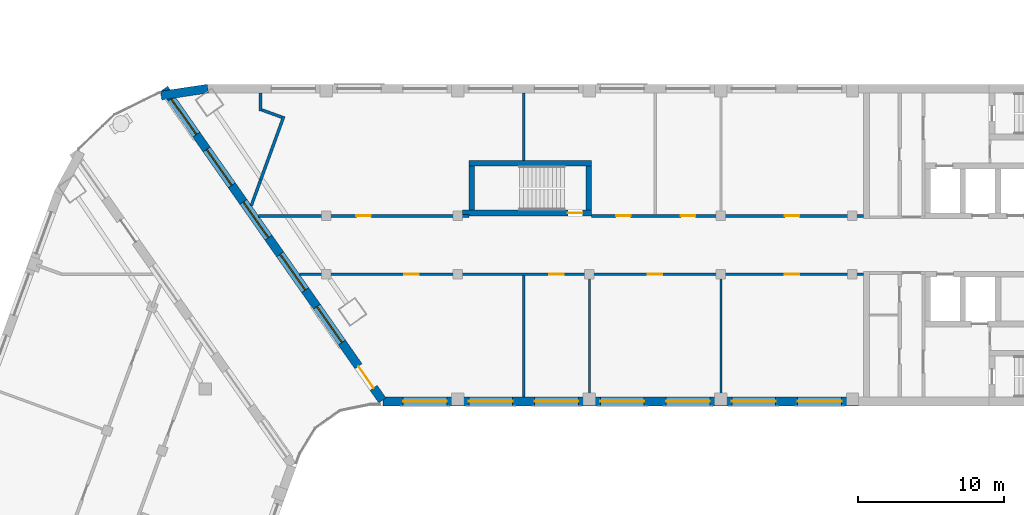
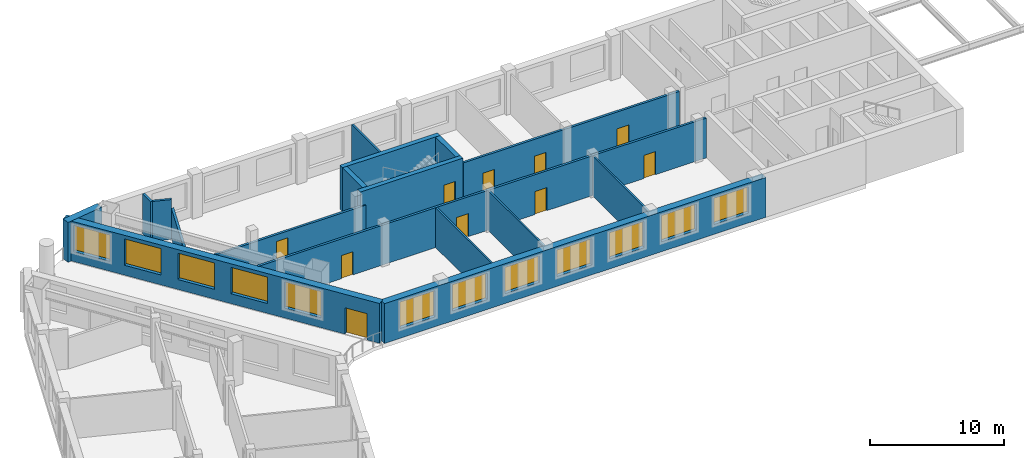
# One storey, part 5 of 14: 18 walls, 12 windows, 10 doors, 22 openings.
"""IFC4 building model written with IfcOpenShell, lengths in metres."""

from ifc_helpers import new_model, si_unit, direction, frame, frame_2d, origin, place, context, subcontext, project, spatial, rectangle, extrude, material, layer, layer_set, type_object, element, fill, save


model = new_model("IFC4")

# Units and contexts
model_context = context("Model", 3, precision=1e-05, world=origin(), true_north=direction((0.0, 1.0)))
body_context = subcontext(model_context, "Body", "Model", "MODEL_VIEW")
ifc_project = project(units=[si_unit("LENGTHUNIT", "METRE"), si_unit("AREAUNIT", "SQUARE_METRE"), si_unit("VOLUMEUNIT", "CUBIC_METRE"), si_unit("PLANEANGLEUNIT", "RADIAN"), si_unit("MASSUNIT", "GRAM", prefix="KILO")], contexts=[model_context])

# Site, building, storey
site_placement = place(None, origin())
site = spatial("IfcSite", under=ifc_project, at=site_placement, CompositionType="ELEMENT")
building_placement = place(site_placement, origin())
building = spatial("IfcBuilding", under=site, at=building_placement, Name="Skarvind Civic Tower", CompositionType="ELEMENT")
storey_placement = place(building_placement, frame((0.0, 0.0, 105.0)))
storey = spatial("IfcBuildingStorey", under=building, at=storey_placement, Name="L24", CompositionType="ELEMENT", Elevation=105.0)

# Wall, opening, door
ifc_material_1 = material(Name="Concrete C80", Category="concrete")
ifc_layer_1 = layer(ifc_material_1, 0.39990234375)
ifc_layer_set_1 = layer_set([ifc_layer_1], Name="Core wall 400 C80")
wall_type_1 = type_object("IfcWallType", Name="Core wall 400 C80", PredefinedType="SHEAR", material=ifc_layer_set_1)
wall_1_placement = place(storey_placement, frame((63.574951171875, 130.199951171875, 0.0), z_axis=(0.0, 0.0, 1.0), x_axis=(1.0, 0.0, 0.0)))
wall_1 = element("IfcWall", 1, at=wall_1_placement, inside=storey, type_object=wall_type_1, Name="Core wall CM inner L24", PredefinedType="SHEAR", context=body_context, shape_type="SweptSolid", body=[
    extrude(rectangle(XDim=8.824951171875, YDim=0.39990234375, at=frame_2d((4.41259765625, 0.0))), origin(), (0.0, 0.0, 1.0), 4.0),
])
opening_1_placement = place(wall_1_placement, frame((7.199951171875, 0.0, 0.0)))
opening_1 = element("IfcOpeningElement", 2, at=opening_1_placement, cuts=wall_1, Name="Opening D-L24-CM-01", PredefinedType="OPENING", context=body_context, shape_type="SweptSolid", body=[
    extrude(rectangle(XDim=1.0, YDim=2.10009765625, at=frame_2d((0.5, 1.050048828125))), frame((0.0, 0.2099609375, 0.0), z_axis=(0.0, -1.0, 0.0), x_axis=(1.0, 0.0, 0.0)), (0.0, 0.0, 1.0), 0.419921875),
])
ifc_material_2 = material(Name="Fire-rated steel door", Category="steel")
door_type_1 = type_object("IfcDoorType", Name="Fire door 1000", OperationType="NOTDEFINED", PredefinedType="DOOR", material=ifc_material_2)
door_1_placement = place(opening_1_placement, origin())
door_1 = element("IfcDoor", 3, at=door_1_placement, inside=storey, type_object=door_type_1, Name="Fire door", OperationType="SINGLE_SWING_LEFT", OverallHeight=2.10009765625, OverallWidth=1.0, PredefinedType="DOOR", context=body_context, shape_type="SweptSolid", body=[
    extrude(rectangle(XDim=1.0, YDim=2.10009765625, at=frame_2d((0.5, 1.050048828125))), frame((0.0, 0.02490234375, 0.0), z_axis=(0.0, -1.0, 0.0), x_axis=(1.0, 0.0, 0.0)), (0.0, 0.0, 1.0), 0.050048828125),
])
fill(opening_1, door_1)

# Walls
wall_2_placement = place(storey_placement, frame((64.0, 133.60009765625, 0.0), z_axis=(0.0, 0.0, 1.0), x_axis=(1.0, 0.0, 0.0)))
element("IfcWall", 4, at=wall_2_placement, inside=storey, type_object=wall_type_1, Name="Core wall CM outer L24", PredefinedType="SHEAR", context=body_context, shape_type="SweptSolid", body=[
    extrude(rectangle(XDim=8.39990234375, YDim=0.39990234375, at=frame_2d((4.199951171875, 0.0))), origin(), (0.0, 0.0, 1.0), 4.0),
])
for number, where, z_axis, x_axis, name in (
    (5, (64.199951171875, 130.39990234375, 0.0), (0.0, 0.0, 1.0), (0.0, 1.0, 0.0), "Core wall CM west L24"),
    (6, (72.199951171875, 130.39990234375, 0.0), (0.0, 0.0, 1.0), (0.0, 1.0, 0.0), "Core wall CM end L24"),
):
    element("IfcWall", number, at=place(storey_placement, frame(where, z_axis=z_axis, x_axis=x_axis)), inside=storey, type_object=wall_type_1, Name=name, PredefinedType="SHEAR", context=body_context, shape_type="SweptSolid", body=[
        extrude(rectangle(XDim=3.0, YDim=0.39990234375, at=frame_2d((1.5, 0.0))), origin(), (0.0, 0.0, 1.0), 4.0),
    ])
ifc_material_3 = material(Name="Fire-rated blockwork wall, plastered", Category="masonry")
ifc_layer_2 = layer(ifc_material_3, 0.199951171875)
ifc_layer_set_2 = layer_set([ifc_layer_2], Name="FIRE WALL 200 EI 60")
wall_type_2 = type_object("IfcWallType", Name="FIRE WALL 200 EI 60", PredefinedType="PARTITIONING", material=ifc_layer_set_2)
wall_3_placement = place(storey_placement, frame((49.112060546875, 130.702880859375, 0.0), z_axis=(0.0, 0.0, 1.0), x_axis=(0.342110969058, 0.939659557952, 0.0)))
element("IfcWall", 7, at=wall_3_placement, inside=storey, type_object=wall_type_2, Name="Portal partition L24 014", PredefinedType="PARTITIONING", context=body_context, shape_type="SweptSolid", body=[
    extrude(rectangle(XDim=1.86474609375, YDim=0.199951171875, at=frame_2d((0.932373046875, 0.0))), origin(), (0.0, 0.0, 1.0), 2.72509765625),
])

# Wall, opening, door
wall_4_placement = place(storey_placement, frame((49.60400390625, 130.0, 0.0), z_axis=(0.0, 0.0, 1.0), x_axis=(1.0, 0.0, 0.0)))
wall_4 = element("IfcWall", 8, at=wall_4_placement, inside=storey, type_object=wall_type_2, Name="Portal partition L24 015", PredefinedType="PARTITIONING", context=body_context, shape_type="SweptSolid", body=[
    extrude(rectangle(XDim=14.39599609375, YDim=0.199951171875, at=frame_2d((7.197998046875, 0.0))), origin(), (0.0, 0.0, 1.0), 2.72509765625),
])
opening_2_placement = place(wall_4_placement, frame((6.697998046875, 0.0, 0.0)))
opening_2 = element("IfcOpeningElement", 9, at=opening_2_placement, cuts=wall_4, Name="Opening L24-D207", PredefinedType="OPENING", context=body_context, shape_type="SweptSolid", body=[
    extrude(rectangle(XDim=1.0, YDim=2.10009765625, at=frame_2d((0.5, 1.050048828125))), frame((0.0, 0.10986328125, 0.0), z_axis=(0.0, -1.0, 0.0), x_axis=(1.0, 0.0, 0.0)), (0.0, 0.0, 1.0), 0.219970703125),
])
ifc_material_4 = material(Name="Painted steel fire door leaf", Category="steel")
door_type_2 = type_object("IfcDoorType", Name="FIRE DOOR 1000X2100 STEEL", OperationType="NOTDEFINED", PredefinedType="DOOR", material=ifc_material_4)
door_2_placement = place(opening_2_placement, origin())
door_2 = element("IfcDoor", 10, at=door_2_placement, inside=storey, type_object=door_type_2, Name="FIRE DOOR", OperationType="SINGLE_SWING_RIGHT", OverallHeight=2.10009765625, OverallWidth=1.0, PredefinedType="DOOR", context=body_context, shape_type="SweptSolid", body=[
    extrude(rectangle(XDim=1.0, YDim=2.10009765625, at=frame_2d((0.5, 1.050048828125))), frame((0.0, 0.02490234375, 0.0), z_axis=(0.0, -1.0, 0.0), x_axis=(1.0, 0.0, 0.0)), (0.0, 0.0, 1.0), 0.050048828125),
])
fill(opening_2, door_2)

# Walls
wall_5_placement = place(storey_placement, frame((49.75, 132.455078125, 0.0), z_axis=(0.0, 0.0, 1.0), x_axis=(0.342030876691, 0.939688714091, 0.0)))
element("IfcWall", 11, at=wall_5_placement, inside=storey, type_object=wall_type_2, Name="Portal partition L24 016", PredefinedType="PARTITIONING", context=body_context, shape_type="SweptSolid", body=[
    extrude(rectangle(XDim=4.631103515625, YDim=0.199951171875, at=frame_2d((2.3154296875, 0.0))), origin(), (0.0, 0.0, 1.0), 2.72509765625),
])
wall_6_placement = place(storey_placement, frame((49.75, 137.177001953125, 0.0), z_axis=(0.0, 0.0, 1.0), x_axis=(0.0, 1.0, 0.0)))
element("IfcWall", 12, at=wall_6_placement, inside=storey, type_object=wall_type_2, Name="Portal partition L24 017", PredefinedType="PARTITIONING", context=body_context, shape_type="SweptSolid", body=[
    extrude(rectangle(XDim=1.222900390625, YDim=0.199951171875, at=frame_2d((0.611328125, 0.0))), origin(), (0.0, 0.0, 1.0), 3.625),
])
wall_7_placement = place(storey_placement, frame((49.85009765625, 137.240966796875, 0.0), z_axis=(0.0, 0.0, 1.0), x_axis=(0.939610528257, -0.342245606529, 0.0)))
element("IfcWall", 13, at=wall_7_placement, inside=storey, type_object=wall_type_2, Name="Portal partition L24 018", PredefinedType="PARTITIONING", context=body_context, shape_type="SweptSolid", body=[
    extrude(rectangle(XDim=1.443115234375, YDim=0.199951171875, at=frame_2d((0.7216796875, 0.0))), origin(), (0.0, 0.0, 1.0), 3.625),
])

# Wall, openings, doors
wall_8_placement = place(storey_placement, frame((91.0, 126.0, 0.0), z_axis=(0.0, 0.0, 1.0), x_axis=(-1.0, 0.0, 0.0)))
wall_8 = element("IfcWall", 14, at=wall_8_placement, inside=storey, type_object=wall_type_2, Name="Portal partition L24 019", PredefinedType="PARTITIONING", context=body_context, shape_type="SweptSolid", body=[
    extrude(rectangle(XDim=38.594970703125, YDim=0.199951171875, at=frame_2d((19.29736328125, 0.0))), origin(), (0.0, 0.0, 1.0), 3.625),
])
opening_3_placement = place(wall_8_placement, frame((30.4208984375, 0.0, 0.0)))
opening_3 = element("IfcOpeningElement", 15, at=opening_3_placement, cuts=wall_8, Name="Opening L24-D208", PredefinedType="OPENING", context=body_context, shape_type="SweptSolid", body=[
    extrude(rectangle(XDim=1.0, YDim=2.10009765625, at=frame_2d((0.5, 1.050048828125))), frame((0.0, 0.10986328125, 0.0), z_axis=(0.0, -1.0, 0.0), x_axis=(1.0, 0.0, 0.0)), (0.0, 0.0, 1.0), 0.219970703125),
])
opening_4_placement = place(wall_8_placement, frame((20.5, 0.0, 0.0)))
opening_4 = element("IfcOpeningElement", 16, at=opening_4_placement, cuts=wall_8, Name="Opening L24-D209", PredefinedType="OPENING", context=body_context, shape_type="SweptSolid", body=[
    extrude(rectangle(XDim=1.0, YDim=2.10009765625, at=frame_2d((0.5, 1.050048828125))), frame((0.0, 0.10986328125, 0.0), z_axis=(0.0, -1.0, 0.0), x_axis=(1.0, 0.0, 0.0)), (0.0, 0.0, 1.0), 0.219970703125),
])
opening_5_placement = place(wall_8_placement, frame((13.75, 0.0, 0.0)))
opening_5 = element("IfcOpeningElement", 17, at=opening_5_placement, cuts=wall_8, Name="Opening L24-D211", PredefinedType="OPENING", context=body_context, shape_type="SweptSolid", body=[
    extrude(rectangle(XDim=1.0, YDim=2.10009765625, at=frame_2d((0.5, 1.050048828125))), frame((0.0, 0.10986328125, 0.0), z_axis=(0.0, -1.0, 0.0), x_axis=(1.0, 0.0, 0.0)), (0.0, 0.0, 1.0), 0.219970703125),
])
opening_6_placement = place(wall_8_placement, frame((4.376953125, 0.0, 0.0)))
opening_6 = element("IfcOpeningElement", 18, at=opening_6_placement, cuts=wall_8, Name="Opening L24-D213", PredefinedType="OPENING", context=body_context, shape_type="SweptSolid", body=[
    extrude(rectangle(XDim=1.0, YDim=2.10009765625, at=frame_2d((0.5, 1.050048828125))), frame((0.0, 0.10986328125, 0.0), z_axis=(0.0, -1.0, 0.0), x_axis=(1.0, 0.0, 0.0)), (0.0, 0.0, 1.0), 0.219970703125),
])
door_3_placement = place(opening_3_placement, origin())
door_3 = element("IfcDoor", 19, at=door_3_placement, inside=storey, type_object=door_type_2, Name="FIRE DOOR", OperationType="SINGLE_SWING_RIGHT", OverallHeight=2.10009765625, OverallWidth=1.0, PredefinedType="DOOR", context=body_context, shape_type="SweptSolid", body=[
    extrude(rectangle(XDim=1.0, YDim=2.10009765625, at=frame_2d((0.5, 1.050048828125))), frame((0.0, 0.02490234375, 0.0), z_axis=(0.0, -1.0, 0.0), x_axis=(1.0, 0.0, 0.0)), (0.0, 0.0, 1.0), 0.050048828125),
])
fill(opening_3, door_3)
door_4_placement = place(opening_4_placement, origin())
door_4 = element("IfcDoor", 20, at=door_4_placement, inside=storey, type_object=door_type_2, Name="FIRE DOOR", OperationType="SINGLE_SWING_LEFT", OverallHeight=2.10009765625, OverallWidth=1.0, PredefinedType="DOOR", context=body_context, shape_type="SweptSolid", body=[
    extrude(rectangle(XDim=1.0, YDim=2.10009765625, at=frame_2d((0.5, 1.050048828125))), frame((0.0, 0.02490234375, 0.0), z_axis=(0.0, -1.0, 0.0), x_axis=(1.0, 0.0, 0.0)), (0.0, 0.0, 1.0), 0.050048828125),
])
fill(opening_4, door_4)
door_5_placement = place(opening_5_placement, origin())
door_5 = element("IfcDoor", 21, at=door_5_placement, inside=storey, type_object=door_type_2, Name="FIRE DOOR", OperationType="SINGLE_SWING_RIGHT", OverallHeight=2.10009765625, OverallWidth=1.0, PredefinedType="DOOR", context=body_context, shape_type="SweptSolid", body=[
    extrude(rectangle(XDim=1.0, YDim=2.10009765625, at=frame_2d((0.5, 1.050048828125))), frame((0.0, 0.02490234375, 0.0), z_axis=(0.0, -1.0, 0.0), x_axis=(1.0, 0.0, 0.0)), (0.0, 0.0, 1.0), 0.050048828125),
])
fill(opening_5, door_5)
door_6_placement = place(opening_6_placement, origin())
door_6 = element("IfcDoor", 22, at=door_6_placement, inside=storey, type_object=door_type_2, Name="FIRE DOOR", OperationType="SINGLE_SWING_LEFT", OverallHeight=2.10009765625, OverallWidth=1.0, PredefinedType="DOOR", context=body_context, shape_type="SweptSolid", body=[
    extrude(rectangle(XDim=1.0, YDim=2.10009765625, at=frame_2d((0.5, 1.050048828125))), frame((0.0, 0.02490234375, 0.0), z_axis=(0.0, -1.0, 0.0), x_axis=(1.0, 0.0, 0.0)), (0.0, 0.0, 1.0), 0.050048828125),
])
fill(opening_6, door_6)

wall_9_placement = place(storey_placement, frame((72.39990234375, 130.0, 0.0), z_axis=(0.0, 0.0, 1.0), x_axis=(1.0, 0.0, 0.0)))
wall_9 = element("IfcWall", 23, at=wall_9_placement, inside=storey, type_object=wall_type_2, Name="Portal partition L24 023", PredefinedType="PARTITIONING", context=body_context, shape_type="SweptSolid", body=[
    extrude(rectangle(XDim=18.60009765625, YDim=0.199951171875, at=frame_2d((9.300048828125, 0.0))), origin(), (0.0, 0.0, 1.0), 3.625),
])
opening_7_placement = place(wall_9_placement, frame((1.677001953125, 0.0, 0.0)))
opening_7 = element("IfcOpeningElement", 24, at=opening_7_placement, cuts=wall_9, Name="Opening L24-D210", PredefinedType="OPENING", context=body_context, shape_type="SweptSolid", body=[
    extrude(rectangle(XDim=1.0, YDim=2.10009765625, at=frame_2d((0.5, 1.050048828125))), frame((0.0, 0.10986328125, 0.0), z_axis=(0.0, -1.0, 0.0), x_axis=(1.0, 0.0, 0.0)), (0.0, 0.0, 1.0), 0.219970703125),
])
opening_8_placement = place(wall_9_placement, frame((6.10009765625, 0.0, 0.0)))
opening_8 = element("IfcOpeningElement", 25, at=opening_8_placement, cuts=wall_9, Name="Opening L24-D212", PredefinedType="OPENING", context=body_context, shape_type="SweptSolid", body=[
    extrude(rectangle(XDim=1.0, YDim=2.10009765625, at=frame_2d((0.5, 1.050048828125))), frame((0.0, 0.10986328125, 0.0), z_axis=(0.0, -1.0, 0.0), x_axis=(1.0, 0.0, 0.0)), (0.0, 0.0, 1.0), 0.219970703125),
])
opening_9_placement = place(wall_9_placement, frame((13.222900390625, 0.0, 0.0)))
opening_9 = element("IfcOpeningElement", 26, at=opening_9_placement, cuts=wall_9, Name="Opening L24-D214", PredefinedType="OPENING", context=body_context, shape_type="SweptSolid", body=[
    extrude(rectangle(XDim=1.0, YDim=2.10009765625, at=frame_2d((0.5, 1.050048828125))), frame((0.0, 0.10986328125, 0.0), z_axis=(0.0, -1.0, 0.0), x_axis=(1.0, 0.0, 0.0)), (0.0, 0.0, 1.0), 0.219970703125),
])
door_7_placement = place(opening_7_placement, origin())
door_7 = element("IfcDoor", 27, at=door_7_placement, inside=storey, type_object=door_type_2, Name="FIRE DOOR", OperationType="SINGLE_SWING_LEFT", OverallHeight=2.10009765625, OverallWidth=1.0, PredefinedType="DOOR", context=body_context, shape_type="SweptSolid", body=[
    extrude(rectangle(XDim=1.0, YDim=2.10009765625, at=frame_2d((0.5, 1.050048828125))), frame((0.0, 0.02490234375, 0.0), z_axis=(0.0, -1.0, 0.0), x_axis=(1.0, 0.0, 0.0)), (0.0, 0.0, 1.0), 0.050048828125),
])
fill(opening_7, door_7)
door_8_placement = place(opening_8_placement, origin())
door_8 = element("IfcDoor", 28, at=door_8_placement, inside=storey, type_object=door_type_2, Name="FIRE DOOR", OperationType="SINGLE_SWING_RIGHT", OverallHeight=2.10009765625, OverallWidth=1.0, PredefinedType="DOOR", context=body_context, shape_type="SweptSolid", body=[
    extrude(rectangle(XDim=1.0, YDim=2.10009765625, at=frame_2d((0.5, 1.050048828125))), frame((0.0, 0.02490234375, 0.0), z_axis=(0.0, -1.0, 0.0), x_axis=(1.0, 0.0, 0.0)), (0.0, 0.0, 1.0), 0.050048828125),
])
fill(opening_8, door_8)
door_9_placement = place(opening_9_placement, origin())
door_9 = element("IfcDoor", 29, at=door_9_placement, inside=storey, type_object=door_type_2, Name="FIRE DOOR", OperationType="SINGLE_SWING_LEFT", OverallHeight=2.10009765625, OverallWidth=1.0, PredefinedType="DOOR", context=body_context, shape_type="SweptSolid", body=[
    extrude(rectangle(XDim=1.0, YDim=2.10009765625, at=frame_2d((0.5, 1.050048828125))), frame((0.0, 0.02490234375, 0.0), z_axis=(0.0, -1.0, 0.0), x_axis=(1.0, 0.0, 0.0)), (0.0, 0.0, 1.0), 0.050048828125),
])
fill(opening_9, door_9)

# Walls
ifc_material_5 = material(Name="Plasterboard partition on steel studs", Category="steel")
ifc_layer_3 = layer(ifc_material_5, 0.14990234375)
ifc_layer_set_3 = layer_set([ifc_layer_3], Name="PARTITION 150")
wall_type_3 = type_object("IfcWallType", Name="PARTITION 150", PredefinedType="PARTITIONING", material=ifc_layer_set_3)
wall_10_placement = place(storey_placement, frame((67.75, 117.60009765625, 0.0), z_axis=(0.0, 0.0, 1.0), x_axis=(0.0, 1.0, 0.0)))
element("IfcWall", 30, at=wall_10_placement, inside=storey, type_object=wall_type_3, Name="Portal partition L24 020", PredefinedType="PARTITIONING", context=body_context, shape_type="SweptSolid", body=[
    extrude(rectangle(XDim=8.2998046875, YDim=0.14990234375, at=frame_2d((4.14990234375, 0.0))), origin(), (0.0, 0.0, 1.0), 3.625),
])
wall_11_placement = place(storey_placement, frame((67.75, 133.800048828125, 0.0), z_axis=(0.0, 0.0, 1.0), x_axis=(0.0, 1.0, 0.0)))
element("IfcWall", 31, at=wall_11_placement, inside=storey, type_object=wall_type_3, Name="Portal partition L24 021", PredefinedType="PARTITIONING", context=body_context, shape_type="SweptSolid", body=[
    extrude(rectangle(XDim=4.599853515625, YDim=0.14990234375, at=frame_2d((2.2998046875, 0.0))), origin(), (0.0, 0.0, 1.0), 3.625),
])
for number, where, z_axis, x_axis, name in (
    (32, (72.25, 117.60009765625, 0.0), (0.0, 0.0, 1.0), (0.0, 1.0, 0.0), "Portal partition L24 022"),
    (33, (81.25, 117.60009765625, 0.0), (0.0, 0.0, 1.0), (0.0, 1.0, 0.0), "Portal partition L24 025"),
):
    element("IfcWall", number, at=place(storey_placement, frame(where, z_axis=z_axis, x_axis=x_axis)), inside=storey, type_object=wall_type_3, Name=name, PredefinedType="PARTITIONING", context=body_context, shape_type="SweptSolid", body=[
        extrude(rectangle(XDim=8.2998046875, YDim=0.14990234375, at=frame_2d((4.14990234375, 0.0))), origin(), (0.0, 0.0, 1.0), 3.625),
    ])
ifc_material_6 = material(Name="Limestone masonry cladding on insulated backing", Category="masonry")
ifc_layer_4 = layer(ifc_material_6, 0.60009765625)
ifc_layer_set_4 = layer_set([ifc_layer_4], Name="WX1 STONE FACADE WALL 600")
wall_type_4 = type_object("IfcWallType", Name="WX1 STONE FACADE WALL 600", PredefinedType="SOLIDWALL", material=ifc_layer_set_4)
wall_12_placement = place(storey_placement, frame((42.947021484375, 138.228515625, 0.0), z_axis=(0.0, 0.0, 1.0), x_axis=(0.989119234726, 0.147116074906, 0.0)))
element("IfcWall", 34, at=wall_12_placement, inside=storey, type_object=wall_type_4, Name="STONE FACADE WALL", PredefinedType="SOLIDWALL", context=body_context, shape_type="SweptSolid", body=[
    extrude(rectangle(XDim=3.227783203125, YDim=0.60009765625, at=frame_2d((1.61376953125, 0.0))), origin(), (0.0, 0.0, 1.0), 3.625),
])

# Wall, openings, door, windows
wall_13_placement = place(storey_placement, frame((58.0830078125, 117.36865234375, 0.0), z_axis=(0.0, 0.0, 1.0), x_axis=(-0.573573095716, 0.819154383416, 0.0)))
wall_13 = element("IfcWall", 35, at=wall_13_placement, inside=storey, type_object=wall_type_4, Name="STONE FACADE WALL", PredefinedType="SOLIDWALL", context=body_context, shape_type="SweptSolid", body=[
    extrude(rectangle(XDim=26.037353515625, YDim=0.60009765625, at=frame_2d((13.0185546875, 0.0))), origin(), (0.0, 0.0, 1.0), 3.625),
])
opening_10_placement = place(wall_13_placement, frame((1.0498046875, 0.0, 0.0)))
opening_10 = element("IfcOpeningElement", 36, at=opening_10_placement, cuts=wall_13, Name="Opening DX3", PredefinedType="OPENING", context=body_context, shape_type="SweptSolid", body=[
    extrude(rectangle(XDim=1.800048828125, YDim=2.39990234375, at=frame_2d((0.89990234375, 1.199951171875))), frame((0.0, 0.31005859375, 0.0), z_axis=(0.0, -1.0, 0.0), x_axis=(1.0, 0.0, 0.0)), (0.0, 0.0, 1.0), 0.6201171875),
])
opening_11_placement = place(wall_13_placement, frame((4.829345703125, 0.0, 0.89990234375)))
opening_11 = element("IfcOpeningElement", 37, at=opening_11_placement, cuts=wall_13, Name="Opening WN1", PredefinedType="OPENING", context=body_context, shape_type="SweptSolid", body=[
    extrude(rectangle(XDim=3.0, YDim=2.39990234375, at=frame_2d((1.5, 1.199951171875))), frame((0.0, 0.31005859375, 0.0), z_axis=(0.0, -1.0, 0.0), x_axis=(1.0, 0.0, 0.0)), (0.0, 0.0, 1.0), 0.6201171875),
])
opening_12_placement = place(wall_13_placement, frame((9.208984375, 0.0, 0.89990234375)))
opening_12 = element("IfcOpeningElement", 38, at=opening_12_placement, cuts=wall_13, Name="Opening WN1", PredefinedType="OPENING", context=body_context, shape_type="SweptSolid", body=[
    extrude(rectangle(XDim=3.0, YDim=2.39990234375, at=frame_2d((1.5, 1.199951171875))), frame((0.0, 0.31005859375, 0.0), z_axis=(0.0, -1.0, 0.0), x_axis=(1.0, 0.0, 0.0)), (0.0, 0.0, 1.0), 0.6201171875),
])
opening_13_placement = place(wall_13_placement, frame((13.58837890625, 0.0, 0.89990234375)))
opening_13 = element("IfcOpeningElement", 39, at=opening_13_placement, cuts=wall_13, Name="Opening WN1", PredefinedType="OPENING", context=body_context, shape_type="SweptSolid", body=[
    extrude(rectangle(XDim=3.0, YDim=2.39990234375, at=frame_2d((1.5, 1.199951171875))), frame((0.0, 0.31005859375, 0.0), z_axis=(0.0, -1.0, 0.0), x_axis=(1.0, 0.0, 0.0)), (0.0, 0.0, 1.0), 0.6201171875),
])
opening_14_placement = place(wall_13_placement, frame((17.968017578125, 0.0, 0.89990234375)))
opening_14 = element("IfcOpeningElement", 40, at=opening_14_placement, cuts=wall_13, Name="Opening WN1", PredefinedType="OPENING", context=body_context, shape_type="SweptSolid", body=[
    extrude(rectangle(XDim=3.0, YDim=2.39990234375, at=frame_2d((1.5, 1.199951171875))), frame((0.0, 0.31005859375, 0.0), z_axis=(0.0, -1.0, 0.0), x_axis=(1.0, 0.0, 0.0)), (0.0, 0.0, 1.0), 0.6201171875),
])
opening_15_placement = place(wall_13_placement, frame((22.197509765625, 0.0, 0.89990234375)))
opening_15 = element("IfcOpeningElement", 41, at=opening_15_placement, cuts=wall_13, Name="Opening WN1", PredefinedType="OPENING", context=body_context, shape_type="SweptSolid", body=[
    extrude(rectangle(XDim=3.0, YDim=2.39990234375, at=frame_2d((1.5, 1.199951171875))), frame((0.0, 0.31005859375, 0.0), z_axis=(0.0, -1.0, 0.0), x_axis=(1.0, 0.0, 0.0)), (0.0, 0.0, 1.0), 0.6201171875),
])
ifc_material_7 = material(Name="Timber and glass doorset", Category="wood")
door_type_3 = type_object("IfcDoorType", Name="DX3 TERRACE DOORS 1800 x 2400", OperationType="NOTDEFINED", PredefinedType="DOOR", material=ifc_material_7)
door_10_placement = place(opening_10_placement, origin())
door_10 = element("IfcDoor", 42, at=door_10_placement, inside=storey, type_object=door_type_3, Name="TERRACE DOORS", OperationType="DOUBLE_DOOR_SINGLE_SWING", OverallHeight=2.39990234375, OverallWidth=1.800048828125, PredefinedType="DOOR", context=body_context, shape_type="SweptSolid", body=[
    extrude(rectangle(XDim=1.800048828125, YDim=2.39990234375, at=frame_2d((0.89990234375, 1.199951171875))), frame((0.0, 0.02490234375, 0.0), z_axis=(0.0, -1.0, 0.0), x_axis=(1.0, 0.0, 0.0)), (0.0, 0.0, 1.0), 0.050048828125),
])
fill(opening_10, door_10)
ifc_material_8 = material(Name="Timber frame, double glazing, timber-lined reveal", Category="wood")
window_type = type_object("IfcWindowType", Name="WN1 PUNCHED STONE WINDOW 3000 x 2400", PartitioningType="SINGLE_PANEL", PredefinedType="WINDOW", material=ifc_material_8)
window_1_placement = place(opening_11_placement, origin())
window_1 = element("IfcWindow", 43, at=window_1_placement, inside=storey, type_object=window_type, Name="WN1 WINDOW", OverallHeight=2.39990234375, OverallWidth=3.0, PartitioningType="SINGLE_PANEL", PredefinedType="WINDOW", context=body_context, shape_type="SweptSolid", body=[
    extrude(rectangle(XDim=3.0, YDim=2.39990234375, at=frame_2d((1.5, 1.199951171875))), frame((0.0, 0.030029296875, 0.0), z_axis=(0.0, -1.0, 0.0), x_axis=(1.0, 0.0, 0.0)), (0.0, 0.0, 1.0), 0.06005859375),
])
fill(opening_11, window_1)
window_2_placement = place(opening_12_placement, origin())
window_2 = element("IfcWindow", 44, at=window_2_placement, inside=storey, type_object=window_type, Name="WN1 WINDOW", OverallHeight=2.39990234375, OverallWidth=3.0, PartitioningType="SINGLE_PANEL", PredefinedType="WINDOW", context=body_context, shape_type="SweptSolid", body=[
    extrude(rectangle(XDim=3.0, YDim=2.39990234375, at=frame_2d((1.5, 1.199951171875))), frame((0.0, 0.030029296875, 0.0), z_axis=(0.0, -1.0, 0.0), x_axis=(1.0, 0.0, 0.0)), (0.0, 0.0, 1.0), 0.06005859375),
])
fill(opening_12, window_2)
window_3_placement = place(opening_13_placement, origin())
window_3 = element("IfcWindow", 45, at=window_3_placement, inside=storey, type_object=window_type, Name="WN1 WINDOW", OverallHeight=2.39990234375, OverallWidth=3.0, PartitioningType="SINGLE_PANEL", PredefinedType="WINDOW", context=body_context, shape_type="SweptSolid", body=[
    extrude(rectangle(XDim=3.0, YDim=2.39990234375, at=frame_2d((1.5, 1.199951171875))), frame((0.0, 0.030029296875, 0.0), z_axis=(0.0, -1.0, 0.0), x_axis=(1.0, 0.0, 0.0)), (0.0, 0.0, 1.0), 0.06005859375),
])
fill(opening_13, window_3)
window_4_placement = place(opening_14_placement, origin())
window_4 = element("IfcWindow", 46, at=window_4_placement, inside=storey, type_object=window_type, Name="WN1 WINDOW", OverallHeight=2.39990234375, OverallWidth=3.0, PartitioningType="SINGLE_PANEL", PredefinedType="WINDOW", context=body_context, shape_type="SweptSolid", body=[
    extrude(rectangle(XDim=3.0, YDim=2.39990234375, at=frame_2d((1.5, 1.199951171875))), frame((0.0, 0.030029296875, 0.0), z_axis=(0.0, -1.0, 0.0), x_axis=(1.0, 0.0, 0.0)), (0.0, 0.0, 1.0), 0.06005859375),
])
fill(opening_14, window_4)
window_5_placement = place(opening_15_placement, origin())
window_5 = element("IfcWindow", 47, at=window_5_placement, inside=storey, type_object=window_type, Name="WN1 WINDOW", OverallHeight=2.39990234375, OverallWidth=3.0, PartitioningType="SINGLE_PANEL", PredefinedType="WINDOW", context=body_context, shape_type="SweptSolid", body=[
    extrude(rectangle(XDim=3.0, YDim=2.39990234375, at=frame_2d((1.5, 1.199951171875))), frame((0.0, 0.030029296875, 0.0), z_axis=(0.0, -1.0, 0.0), x_axis=(1.0, 0.0, 0.0)), (0.0, 0.0, 1.0), 0.06005859375),
])
fill(opening_15, window_5)

# Wall, openings, windows
wall_14_placement = place(storey_placement, frame((90.97998046875, 117.300048828125, 0.0), z_axis=(0.0, 0.0, 1.0), x_axis=(-1.0, 0.0, 0.0)))
wall_14 = element("IfcWall", 48, at=wall_14_placement, inside=storey, type_object=wall_type_4, Name="STONE FACADE WALL", PredefinedType="SOLIDWALL", context=body_context, shape_type="SweptSolid", body=[
    extrude(rectangle(XDim=32.844970703125, YDim=0.60009765625, at=frame_2d((16.42236328125, 0.0))), origin(), (0.0, 0.0, 1.0), 3.625),
])
opening_16_placement = place(wall_14_placement, frame((1.47998046875, 0.0, 0.89990234375)))
opening_16 = element("IfcOpeningElement", 49, at=opening_16_placement, cuts=wall_14, Name="Opening WN1", PredefinedType="OPENING", context=body_context, shape_type="SweptSolid", body=[
    extrude(rectangle(XDim=3.0, YDim=2.39990234375, at=frame_2d((1.5, 1.199951171875))), frame((0.0, 0.31005859375, 0.0), z_axis=(0.0, -1.0, 0.0), x_axis=(1.0, 0.0, 0.0)), (0.0, 0.0, 1.0), 0.6201171875),
])
opening_17_placement = place(wall_14_placement, frame((5.97998046875, 0.0, 0.89990234375)))
opening_17 = element("IfcOpeningElement", 50, at=opening_17_placement, cuts=wall_14, Name="Opening WN1", PredefinedType="OPENING", context=body_context, shape_type="SweptSolid", body=[
    extrude(rectangle(XDim=3.0, YDim=2.39990234375, at=frame_2d((1.5, 1.199951171875))), frame((0.0, 0.31005859375, 0.0), z_axis=(0.0, -1.0, 0.0), x_axis=(1.0, 0.0, 0.0)), (0.0, 0.0, 1.0), 0.6201171875),
])
opening_18_placement = place(wall_14_placement, frame((10.47998046875, 0.0, 0.89990234375)))
opening_18 = element("IfcOpeningElement", 51, at=opening_18_placement, cuts=wall_14, Name="Opening WN1", PredefinedType="OPENING", context=body_context, shape_type="SweptSolid", body=[
    extrude(rectangle(XDim=3.0, YDim=2.39990234375, at=frame_2d((1.5, 1.199951171875))), frame((0.0, 0.31005859375, 0.0), z_axis=(0.0, -1.0, 0.0), x_axis=(1.0, 0.0, 0.0)), (0.0, 0.0, 1.0), 0.6201171875),
])
opening_19_placement = place(wall_14_placement, frame((14.97998046875, 0.0, 0.89990234375)))
opening_19 = element("IfcOpeningElement", 52, at=opening_19_placement, cuts=wall_14, Name="Opening WN1", PredefinedType="OPENING", context=body_context, shape_type="SweptSolid", body=[
    extrude(rectangle(XDim=3.0, YDim=2.39990234375, at=frame_2d((1.5, 1.199951171875))), frame((0.0, 0.31005859375, 0.0), z_axis=(0.0, -1.0, 0.0), x_axis=(1.0, 0.0, 0.0)), (0.0, 0.0, 1.0), 0.6201171875),
])
opening_20_placement = place(wall_14_placement, frame((19.47998046875, 0.0, 0.89990234375)))
opening_20 = element("IfcOpeningElement", 53, at=opening_20_placement, cuts=wall_14, Name="Opening WN1", PredefinedType="OPENING", context=body_context, shape_type="SweptSolid", body=[
    extrude(rectangle(XDim=3.0, YDim=2.39990234375, at=frame_2d((1.5, 1.199951171875))), frame((0.0, 0.31005859375, 0.0), z_axis=(0.0, -1.0, 0.0), x_axis=(1.0, 0.0, 0.0)), (0.0, 0.0, 1.0), 0.6201171875),
])
opening_21_placement = place(wall_14_placement, frame((23.97998046875, 0.0, 0.89990234375)))
opening_21 = element("IfcOpeningElement", 54, at=opening_21_placement, cuts=wall_14, Name="Opening WN1", PredefinedType="OPENING", context=body_context, shape_type="SweptSolid", body=[
    extrude(rectangle(XDim=3.0, YDim=2.39990234375, at=frame_2d((1.5, 1.199951171875))), frame((0.0, 0.31005859375, 0.0), z_axis=(0.0, -1.0, 0.0), x_axis=(1.0, 0.0, 0.0)), (0.0, 0.0, 1.0), 0.6201171875),
])
opening_22_placement = place(wall_14_placement, frame((28.47998046875, 0.0, 0.89990234375)))
opening_22 = element("IfcOpeningElement", 55, at=opening_22_placement, cuts=wall_14, Name="Opening WN1", PredefinedType="OPENING", context=body_context, shape_type="SweptSolid", body=[
    extrude(rectangle(XDim=3.0, YDim=2.39990234375, at=frame_2d((1.5, 1.199951171875))), frame((0.0, 0.31005859375, 0.0), z_axis=(0.0, -1.0, 0.0), x_axis=(1.0, 0.0, 0.0)), (0.0, 0.0, 1.0), 0.6201171875),
])
window_6_placement = place(opening_16_placement, origin())
window_6 = element("IfcWindow", 56, at=window_6_placement, inside=storey, type_object=window_type, Name="WN1 WINDOW", OverallHeight=2.39990234375, OverallWidth=3.0, PartitioningType="SINGLE_PANEL", PredefinedType="WINDOW", context=body_context, shape_type="SweptSolid", body=[
    extrude(rectangle(XDim=3.0, YDim=2.39990234375, at=frame_2d((1.5, 1.199951171875))), frame((0.0, 0.030029296875, 0.0), z_axis=(0.0, -1.0, 0.0), x_axis=(1.0, 0.0, 0.0)), (0.0, 0.0, 1.0), 0.06005859375),
])
fill(opening_16, window_6)
window_7_placement = place(opening_17_placement, origin())
window_7 = element("IfcWindow", 57, at=window_7_placement, inside=storey, type_object=window_type, Name="WN1 WINDOW", OverallHeight=2.39990234375, OverallWidth=3.0, PartitioningType="SINGLE_PANEL", PredefinedType="WINDOW", context=body_context, shape_type="SweptSolid", body=[
    extrude(rectangle(XDim=3.0, YDim=2.39990234375, at=frame_2d((1.5, 1.199951171875))), frame((0.0, 0.030029296875, 0.0), z_axis=(0.0, -1.0, 0.0), x_axis=(1.0, 0.0, 0.0)), (0.0, 0.0, 1.0), 0.06005859375),
])
fill(opening_17, window_7)
window_8_placement = place(opening_18_placement, origin())
window_8 = element("IfcWindow", 58, at=window_8_placement, inside=storey, type_object=window_type, Name="WN1 WINDOW", OverallHeight=2.39990234375, OverallWidth=3.0, PartitioningType="SINGLE_PANEL", PredefinedType="WINDOW", context=body_context, shape_type="SweptSolid", body=[
    extrude(rectangle(XDim=3.0, YDim=2.39990234375, at=frame_2d((1.5, 1.199951171875))), frame((0.0, 0.030029296875, 0.0), z_axis=(0.0, -1.0, 0.0), x_axis=(1.0, 0.0, 0.0)), (0.0, 0.0, 1.0), 0.06005859375),
])
fill(opening_18, window_8)
window_9_placement = place(opening_19_placement, origin())
window_9 = element("IfcWindow", 59, at=window_9_placement, inside=storey, type_object=window_type, Name="WN1 WINDOW", OverallHeight=2.39990234375, OverallWidth=3.0, PartitioningType="SINGLE_PANEL", PredefinedType="WINDOW", context=body_context, shape_type="SweptSolid", body=[
    extrude(rectangle(XDim=3.0, YDim=2.39990234375, at=frame_2d((1.5, 1.199951171875))), frame((0.0, 0.030029296875, 0.0), z_axis=(0.0, -1.0, 0.0), x_axis=(1.0, 0.0, 0.0)), (0.0, 0.0, 1.0), 0.06005859375),
])
fill(opening_19, window_9)
window_10_placement = place(opening_20_placement, origin())
window_10 = element("IfcWindow", 60, at=window_10_placement, inside=storey, type_object=window_type, Name="WN1 WINDOW", OverallHeight=2.39990234375, OverallWidth=3.0, PartitioningType="SINGLE_PANEL", PredefinedType="WINDOW", context=body_context, shape_type="SweptSolid", body=[
    extrude(rectangle(XDim=3.0, YDim=2.39990234375, at=frame_2d((1.5, 1.199951171875))), frame((0.0, 0.030029296875, 0.0), z_axis=(0.0, -1.0, 0.0), x_axis=(1.0, 0.0, 0.0)), (0.0, 0.0, 1.0), 0.06005859375),
])
fill(opening_20, window_10)
window_11_placement = place(opening_21_placement, origin())
window_11 = element("IfcWindow", 61, at=window_11_placement, inside=storey, type_object=window_type, Name="WN1 WINDOW", OverallHeight=2.39990234375, OverallWidth=3.0, PartitioningType="SINGLE_PANEL", PredefinedType="WINDOW", context=body_context, shape_type="SweptSolid", body=[
    extrude(rectangle(XDim=3.0, YDim=2.39990234375, at=frame_2d((1.5, 1.199951171875))), frame((0.0, 0.030029296875, 0.0), z_axis=(0.0, -1.0, 0.0), x_axis=(1.0, 0.0, 0.0)), (0.0, 0.0, 1.0), 0.06005859375),
])
fill(opening_21, window_11)
window_12_placement = place(opening_22_placement, origin())
window_12 = element("IfcWindow", 62, at=window_12_placement, inside=storey, type_object=window_type, Name="WN1 WINDOW", OverallHeight=2.39990234375, OverallWidth=3.0, PartitioningType="SINGLE_PANEL", PredefinedType="WINDOW", context=body_context, shape_type="SweptSolid", body=[
    extrude(rectangle(XDim=3.0, YDim=2.39990234375, at=frame_2d((1.5, 1.199951171875))), frame((0.0, 0.030029296875, 0.0), z_axis=(0.0, -1.0, 0.0), x_axis=(1.0, 0.0, 0.0)), (0.0, 0.0, 1.0), 0.06005859375),
])
fill(opening_22, window_12)

save(model, "model.ifc")
